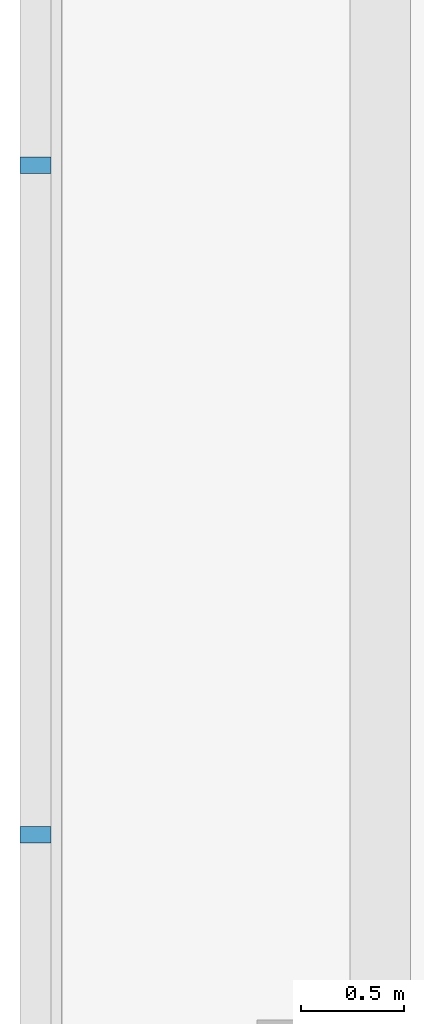
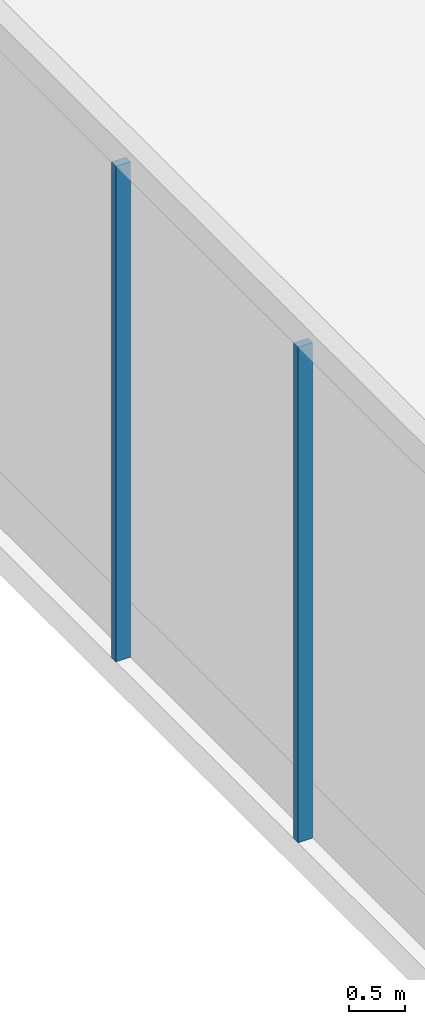
# One storey, part 4 of 41: 2 members, 1 element without a shape of its own.
"""IFC4 building model written with IfcOpenShell, lengths in metres."""

import ifcopenshell
import ifcopenshell.guid

model = None  # the IFC model being written
_history = None  # IfcOwnerHistory: only IFC2X3 demands one
_inside = {}  # id of a spatial element -> (the spatial element, [elements in it])
_under = {}  # id of a project, library or spatial element -> (it, [spatial elements below it])
_declared = {}  # id of a project -> (the project, [libraries it declares])
_typed = {}  # id of a type object -> (the type object, [elements of that type])
_made_of = {}  # id of a material, layer set ... -> (it, [elements and type objects made of it])


def new_model(schema):
    """Start an empty IFC model of exactly this schema.

    Asked for "IFC4X3", IfcOpenShell would pick the latest addendum, in which some entities
    have other attributes; the version numbers below select the first issue.
    IFC2X3 requires an IfcOwnerHistory on every rooted entity: one is made here for all.
    """
    global model, _history
    if schema == "IFC4X3":
        model = ifcopenshell.file(schema_version=(4, 3, 0, 0))
    else:
        model = ifcopenshell.file(schema=schema)
    _inside.clear()
    _under.clear()
    _declared.clear()
    _typed.clear()
    _made_of.clear()
    _history = None
    if model.schema == "IFC2X3":
        org = make("IfcOrganization", Name="unknown")
        user = make(
            "IfcPersonAndOrganization",
            ThePerson=make("IfcPerson", FamilyName="unknown"),
            TheOrganization=org,
        )
        app = make(
            "IfcApplication",
            ApplicationDeveloper=org,
            Version="unknown",
            ApplicationFullName="unknown",
            ApplicationIdentifier="unknown",
        )
        _history = make(
            "IfcOwnerHistory",
            OwningUser=user,
            OwningApplication=app,
            ChangeAction="ADDED",
            CreationDate=0,
        )
    return model


def make(cls, **values):
    """One entity of the class cls with the attributes given. An attribute that is None is left unset."""
    return model.create_entity(
        cls, **{name: value for name, value in values.items() if value is not None}
    )


def rooted(cls, **values):
    """An entity with a GlobalId (a new one), such as an element, a storey or a relation."""
    return make(cls, GlobalId=ifcopenshell.guid.new(), OwnerHistory=_history, **values)


def si_unit(unit_type, name, prefix=None):
    """IfcSIUnit, for example si_unit("LENGTHUNIT", "METRE", prefix="MILLI")."""
    return make("IfcSIUnit", UnitType=unit_type, Prefix=prefix, Name=name)


def assignment(units):
    """IfcUnitAssignment: the units of a project."""
    return None if units is None else make("IfcUnitAssignment", Units=units)


def point(xyz):
    """IfcCartesianPoint."""
    return None if xyz is None else make("IfcCartesianPoint", Coordinates=xyz)


def direction(xyz):
    """IfcDirection."""
    return None if xyz is None else make("IfcDirection", DirectionRatios=xyz)


def frame(location, z_axis=None, x_axis=None):
    """IfcAxis2Placement3D, a coordinate frame: its origin and axes. An axis left out is left unset."""
    return make(
        "IfcAxis2Placement3D",
        Location=point(location),
        Axis=direction(z_axis),
        RefDirection=direction(x_axis),
    )


def frame_2d(location, x_axis=None):
    """IfcAxis2Placement2D, a coordinate frame in the plane: its origin and x axis."""
    return make(
        "IfcAxis2Placement2D", Location=point(location), RefDirection=direction(x_axis)
    )


def origin():
    """The frame at (0, 0, 0) with its axes left unset."""
    return frame((0.0, 0.0, 0.0))


def origin_2d():
    """The frame at (0, 0) in the plane with its x axis left unset."""
    return frame_2d((0.0, 0.0))


def place(relative_to, where):
    """IfcLocalPlacement: puts the frame where relative to a parent placement (None: the world)."""
    return make(
        "IfcLocalPlacement", PlacementRelTo=relative_to, RelativePlacement=where
    )


def context(
    kind, dimensions, precision=None, world=None, true_north=None, identifier=None
):
    """IfcGeometricRepresentationContext, for example the 3D "Model" context."""
    return make(
        "IfcGeometricRepresentationContext",
        ContextIdentifier=identifier,
        ContextType=kind,
        CoordinateSpaceDimension=dimensions,
        Precision=precision,
        WorldCoordinateSystem=world,
        TrueNorth=true_north,
    )


def subcontext(parent, identifier, kind, view, scale=None):
    """IfcGeometricRepresentationSubContext, for example "Body" below "Model"."""
    return make(
        "IfcGeometricRepresentationSubContext",
        ContextIdentifier=identifier,
        ContextType=kind,
        ParentContext=parent,
        TargetScale=scale,
        TargetView=view,
    )


def project(units=None, contexts=None):
    """IfcProject with its units and contexts."""
    return rooted(
        "IfcProject",
        Name="project",
        RepresentationContexts=contexts,
        UnitsInContext=assignment(units),
    )


def spatial(cls, under=None, at=None, **own):
    """A site, building, storey or space (cls), placed at a placement, below another one or the project."""
    s = rooted(cls, ObjectPlacement=at, **own)
    if under is not None:
        _under.setdefault(under.id(), (under, []))[1].append(s)
    return s


def profile(cls, at=None, kind="AREA", **sizes):
    """A parametric profile (cls). Its sizes go by their IFC names, for example OverallWidth=200.0."""
    return make(cls, ProfileType=kind, Position=at, **sizes)


def rectangle(**sizes):
    """IfcRectangleProfileDef."""
    return profile("IfcRectangleProfileDef", **sizes)


def extrude(swept, where, along, depth):
    """IfcExtrudedAreaSolid: the profile swept, set in the frame where, extruded along a direction by depth."""
    return make(
        "IfcExtrudedAreaSolid",
        SweptArea=swept,
        Position=where,
        ExtrudedDirection=direction(along),
        Depth=depth,
    )


def shape(context_of_items, identifier, shape_type, items):
    """IfcShapeRepresentation: the items that make up one representation, for example the "Body"."""
    return make(
        "IfcShapeRepresentation",
        ContextOfItems=context_of_items,
        RepresentationIdentifier=identifier,
        RepresentationType=shape_type,
        Items=items,
    )


def source(mapping_origin, context_of_items, identifier, shape_type, items):
    """IfcRepresentationMap: a shape defined once, which mapped items show again and again."""
    return make(
        "IfcRepresentationMap",
        MappingOrigin=mapping_origin,
        MappedRepresentation=shape(context_of_items, identifier, shape_type, items),
    )


def transform(
    local_origin,
    x_axis=None,
    y_axis=None,
    z_axis=None,
    scale=None,
    scale2=None,
    scale3=None,
    uniform=True,
):
    """IfcCartesianTransformationOperator3D, or its non-uniform kind. x_axis, y_axis, z_axis: its Axis1, 2, 3."""
    if uniform:
        return make(
            "IfcCartesianTransformationOperator3D",
            Axis1=direction(x_axis),
            Axis2=direction(y_axis),
            LocalOrigin=point(local_origin),
            Scale=scale,
            Axis3=direction(z_axis),
        )
    return make(
        "IfcCartesianTransformationOperator3DnonUniform",
        Axis1=direction(x_axis),
        Axis2=direction(y_axis),
        LocalOrigin=point(local_origin),
        Scale=scale,
        Axis3=direction(z_axis),
        Scale2=scale2,
        Scale3=scale3,
    )


def mapped(mapping_source, mapping_target):
    """IfcMappedItem: shows the shape of a source again, moved by a transform."""
    return make(
        "IfcMappedItem", MappingSource=mapping_source, MappingTarget=mapping_target
    )


def material(Name=None, Category=None):
    """IfcMaterial."""
    return make("IfcMaterial", Name=Name, Category=Category)


def layer(
    of_material, thickness, ventilated=None, Name=None, Category=None, Priority=None
):
    """IfcMaterialLayer: one layer of a wall or slab, of a material (None: an air gap)."""
    return make(
        "IfcMaterialLayer",
        Material=of_material,
        LayerThickness=thickness,
        IsVentilated=ventilated,
        Name=Name,
        Category=Category,
        Priority=Priority,
    )


def layer_set(layers, Name=None):
    """IfcMaterialLayerSet."""
    return make("IfcMaterialLayerSet", MaterialLayers=layers, LayerSetName=Name)


def material_profile(
    of_material, cross_section, Name=None, Category=None, Priority=None
):
    """IfcMaterialProfile: a cross section and its material."""
    return make(
        "IfcMaterialProfile",
        Name=Name,
        Material=of_material,
        Profile=cross_section,
        Priority=Priority,
        Category=Category,
    )


def profile_set(profiles, Name=None, composite=None):
    """IfcMaterialProfileSet."""
    return make(
        "IfcMaterialProfileSet",
        Name=Name,
        MaterialProfiles=profiles,
        CompositeProfile=composite,
    )


def made_of(thing, what):
    """Note that an element or type object is made of a material, layer set ...; save() writes the relation."""
    if what is not None:
        _made_of.setdefault(what.id(), (what, []))[1].append(thing)
    return thing


def type_object(cls, material=None, **own):
    """A type object (cls), such as IfcWallType, which elements share."""
    return made_of(rooted(cls, **own), material)


def element(
    cls,
    number,
    at=None,
    inside=None,
    cuts=None,
    type_object=None,
    material=None,
    context=None,
    identifier="Body",
    shape_type=None,
    held_by="IfcProductDefinitionShape",
    body=None,
    shapes=None,
    **own,
):
    """One element of the class cls, such as IfcWall. Its Tag is "e" and its number.

    at: its placement. inside: the storey or other place that contains it. cuts: it is an
    opening in that element (IfcRelVoidsElement). A single representation is given by context,
    identifier, shape_type and body (its items); several are given by shapes. held_by: the class
    of the entity that holds the representations. save() writes the other relations.
    """
    e = rooted(cls, Tag="e%d" % number, ObjectPlacement=at, **own)
    if body is not None:
        shapes = [shape(context, identifier, shape_type, body)]
    if shapes is not None:
        e.Representation = make(held_by, Representations=shapes)
    if inside is not None:
        _inside.setdefault(inside.id(), (inside, []))[1].append(e)
    if cuts is not None:
        rooted(
            "IfcRelVoidsElement", RelatingBuildingElement=cuts, RelatedOpeningElement=e
        )
    if type_object is not None:
        _typed.setdefault(type_object.id(), (type_object, []))[1].append(e)
    return made_of(e, material)


def aggregate(whole, parts):
    """IfcRelAggregates: a whole, such as a stair, and the parts it consists of."""
    return rooted("IfcRelAggregates", RelatingObject=whole, RelatedObjects=parts)


def save(model, path):
    """Write the relations noted so far, then the file.

    IfcRelAggregates (storeys below a building ...), IfcRelContainedInSpatialStructure (elements
    in a storey), IfcRelDefinesByType, IfcRelAssociatesMaterial and IfcRelDeclares: one each for
    every whole, place, type object, material and project.
    """
    for whole, parts in _under.values():
        aggregate(whole, parts)
    for where, things in _inside.values():
        rooted(
            "IfcRelContainedInSpatialStructure",
            RelatedElements=things,
            RelatingStructure=where,
        )
    for kind, things in _typed.values():
        rooted("IfcRelDefinesByType", RelatedObjects=things, RelatingType=kind)
    for what, things in _made_of.values():
        rooted("IfcRelAssociatesMaterial", RelatedObjects=things, RelatingMaterial=what)
    for by, libraries in _declared.values():
        rooted("IfcRelDeclares", RelatingContext=by, RelatedDefinitions=libraries)
    model.write(path)


model = new_model("IFC4")

# Units and contexts
model_context = context("Model", 3, precision=1e-05, world=origin(), true_north=direction((0.0, 1.0)))
body_context = subcontext(model_context, "Body", "Model", "MODEL_VIEW")
ifc_project = project(units=[si_unit("LENGTHUNIT", "METRE"), si_unit("AREAUNIT", "SQUARE_METRE"), si_unit("VOLUMEUNIT", "CUBIC_METRE"), si_unit("PLANEANGLEUNIT", "RADIAN"), si_unit("MASSUNIT", "GRAM", prefix="KILO")], contexts=[model_context])

# Site, building, storey
site_placement = place(None, origin())
site = spatial("IfcSite", under=ifc_project, at=site_placement, CompositionType="ELEMENT")
building_placement = place(site_placement, origin())
building = spatial("IfcBuilding", under=site, at=building_placement, Name="Trellis Farm Tower", CompositionType="ELEMENT")
storey_placement = place(building_placement, frame((0.0, 0.0, 8.0)))
storey = spatial("IfcBuildingStorey", under=building, at=storey_placement, Name="L01", CompositionType="ELEMENT", Elevation=8.0)

# Curtain wall, members
ifc_material_1 = material(Name="Aluminium and glass curtain wall", Category="aluminium")
ifc_layer = layer(ifc_material_1, 0.201904296875)
ifc_layer_set = layer_set([ifc_layer], Name="SHOPFRONT CURTAIN WALL CW2")
curtain_wall_type = type_object("IfcCurtainWallType", Name="SHOPFRONT CURTAIN WALL CW2", PredefinedType="NOTDEFINED", material=ifc_layer_set)
curtain_wall_placement = place(storey_placement, origin())
curtain_wall = element("IfcCurtainWall", 1, at=curtain_wall_placement, inside=storey, type_object=curtain_wall_type, Name="CW2 006", PredefinedType="NOTDEFINED")
ifc_material_2 = material(Name="Aluminium extrusion 6063-T6", Category="aluminium")
ifc_material_profile = material_profile(ifc_material_2, rectangle(XDim=0.080078125, YDim=0.14990234375, at=origin_2d()), Name="MULLION 80x150")
ifc_profile_set = profile_set([ifc_material_profile], Name="Aluminium extrusion 6063-T6")
member_type = type_object("IfcMemberType", Name="CW2 MULLION 80x150", PredefinedType="MULLION", material=ifc_profile_set)
shared_shape = source(origin(), body_context, "Body", "SweptSolid", [
    extrude(rectangle(XDim=0.080078125, YDim=0.14990234375, at=origin_2d()), origin(), (0.0, 0.0, 1.0), 5.39990234375),
])
member_1_placement = place(storey_placement, frame((-45.425048828125, -26.0, 0.0), z_axis=(0.0, 0.0, 1.0), x_axis=(0.0, -1.0, 0.0)))
member_1 = element("IfcMember", 2, at=member_1_placement, type_object=member_type, Name="MU2 006-06", PredefinedType="MULLION", context=body_context, shape_type="MappedRepresentation", body=[
    mapped(shared_shape, transform((0.0, 0.0, 0.0))),
])
member_2_placement = place(storey_placement, frame((-45.425048828125, -29.25, 0.0), z_axis=(0.0, 0.0, 1.0), x_axis=(0.0, -1.0, 0.0)))
member_2 = element("IfcMember", 3, at=member_2_placement, type_object=member_type, Name="MU2 006-07", PredefinedType="MULLION", context=body_context, shape_type="MappedRepresentation", body=[
    mapped(shared_shape, transform((0.0, 0.0, 0.0))),
])
aggregate(curtain_wall, [member_1, member_2])

save(model, "model.ifc")
